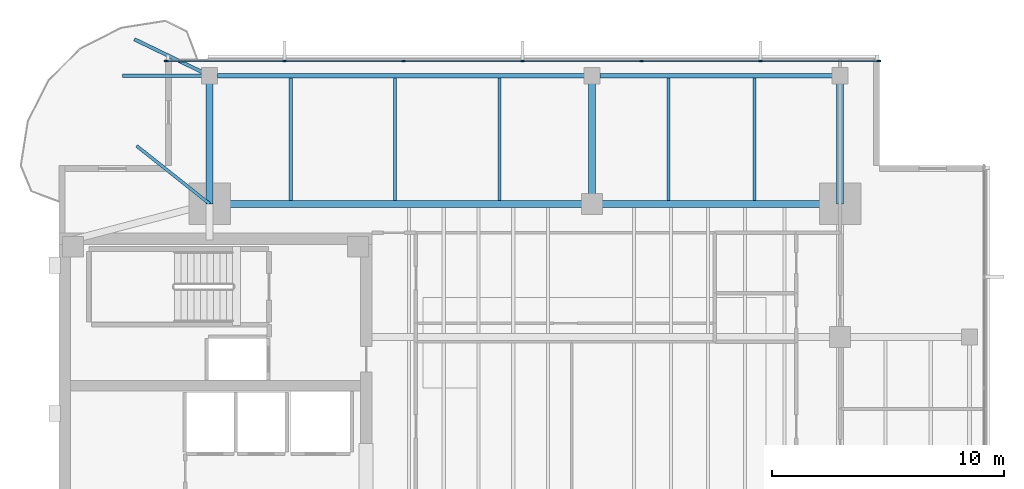
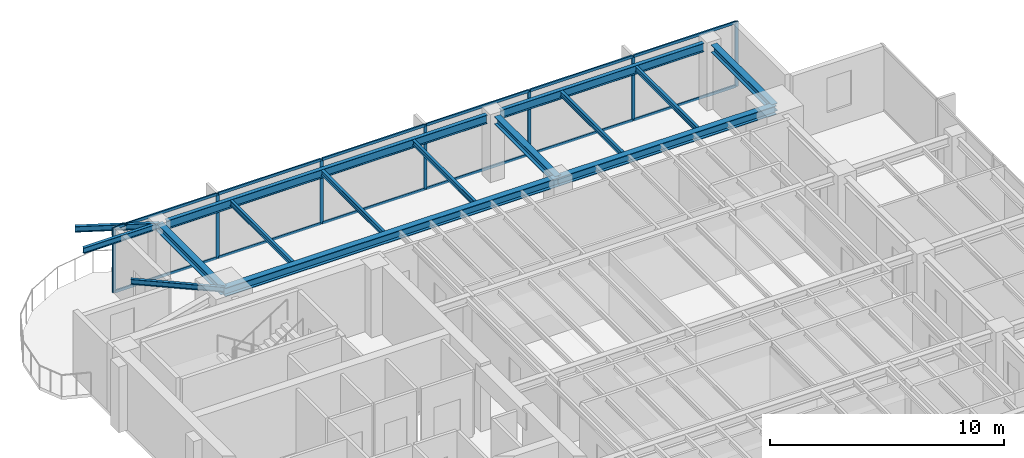
# One storey, part 5 of 14: 19 members, 15 beams, 1 element without a shape of its own.
"""IFC4 building model written with IfcOpenShell, lengths in metres."""

import ifcopenshell
import ifcopenshell.guid

model = None  # the IFC model being written
_history = None  # IfcOwnerHistory: only IFC2X3 demands one
_inside = {}  # id of a spatial element -> (the spatial element, [elements in it])
_under = {}  # id of a project, library or spatial element -> (it, [spatial elements below it])
_declared = {}  # id of a project -> (the project, [libraries it declares])
_typed = {}  # id of a type object -> (the type object, [elements of that type])
_made_of = {}  # id of a material, layer set ... -> (it, [elements and type objects made of it])


def new_model(schema):
    """Start an empty IFC model of exactly this schema.

    Asked for "IFC4X3", IfcOpenShell would pick the latest addendum, in which some entities
    have other attributes; the version numbers below select the first issue.
    IFC2X3 requires an IfcOwnerHistory on every rooted entity: one is made here for all.
    """
    global model, _history
    if schema == "IFC4X3":
        model = ifcopenshell.file(schema_version=(4, 3, 0, 0))
    else:
        model = ifcopenshell.file(schema=schema)
    _inside.clear()
    _under.clear()
    _declared.clear()
    _typed.clear()
    _made_of.clear()
    _history = None
    if model.schema == "IFC2X3":
        org = make("IfcOrganization", Name="unknown")
        user = make(
            "IfcPersonAndOrganization",
            ThePerson=make("IfcPerson", FamilyName="unknown"),
            TheOrganization=org,
        )
        app = make(
            "IfcApplication",
            ApplicationDeveloper=org,
            Version="unknown",
            ApplicationFullName="unknown",
            ApplicationIdentifier="unknown",
        )
        _history = make(
            "IfcOwnerHistory",
            OwningUser=user,
            OwningApplication=app,
            ChangeAction="ADDED",
            CreationDate=0,
        )
    return model


def make(cls, **values):
    """One entity of the class cls with the attributes given. An attribute that is None is left unset."""
    return model.create_entity(
        cls, **{name: value for name, value in values.items() if value is not None}
    )


def rooted(cls, **values):
    """An entity with a GlobalId (a new one), such as an element, a storey or a relation."""
    return make(cls, GlobalId=ifcopenshell.guid.new(), OwnerHistory=_history, **values)


def si_unit(unit_type, name, prefix=None):
    """IfcSIUnit, for example si_unit("LENGTHUNIT", "METRE", prefix="MILLI")."""
    return make("IfcSIUnit", UnitType=unit_type, Prefix=prefix, Name=name)


def assignment(units):
    """IfcUnitAssignment: the units of a project."""
    return None if units is None else make("IfcUnitAssignment", Units=units)


def point(xyz):
    """IfcCartesianPoint."""
    return None if xyz is None else make("IfcCartesianPoint", Coordinates=xyz)


def direction(xyz):
    """IfcDirection."""
    return None if xyz is None else make("IfcDirection", DirectionRatios=xyz)


def frame(location, z_axis=None, x_axis=None):
    """IfcAxis2Placement3D, a coordinate frame: its origin and axes. An axis left out is left unset."""
    return make(
        "IfcAxis2Placement3D",
        Location=point(location),
        Axis=direction(z_axis),
        RefDirection=direction(x_axis),
    )


def frame_2d(location, x_axis=None):
    """IfcAxis2Placement2D, a coordinate frame in the plane: its origin and x axis."""
    return make(
        "IfcAxis2Placement2D", Location=point(location), RefDirection=direction(x_axis)
    )


def origin():
    """The frame at (0, 0, 0) with its axes left unset."""
    return frame((0.0, 0.0, 0.0))


def origin_2d():
    """The frame at (0, 0) in the plane with its x axis left unset."""
    return frame_2d((0.0, 0.0))


def place(relative_to, where):
    """IfcLocalPlacement: puts the frame where relative to a parent placement (None: the world)."""
    return make(
        "IfcLocalPlacement", PlacementRelTo=relative_to, RelativePlacement=where
    )


def context(
    kind, dimensions, precision=None, world=None, true_north=None, identifier=None
):
    """IfcGeometricRepresentationContext, for example the 3D "Model" context."""
    return make(
        "IfcGeometricRepresentationContext",
        ContextIdentifier=identifier,
        ContextType=kind,
        CoordinateSpaceDimension=dimensions,
        Precision=precision,
        WorldCoordinateSystem=world,
        TrueNorth=true_north,
    )


def subcontext(parent, identifier, kind, view, scale=None):
    """IfcGeometricRepresentationSubContext, for example "Body" below "Model"."""
    return make(
        "IfcGeometricRepresentationSubContext",
        ContextIdentifier=identifier,
        ContextType=kind,
        ParentContext=parent,
        TargetScale=scale,
        TargetView=view,
    )


def project(units=None, contexts=None):
    """IfcProject with its units and contexts."""
    return rooted(
        "IfcProject",
        Name="project",
        RepresentationContexts=contexts,
        UnitsInContext=assignment(units),
    )


def spatial(cls, under=None, at=None, **own):
    """A site, building, storey or space (cls), placed at a placement, below another one or the project."""
    s = rooted(cls, ObjectPlacement=at, **own)
    if under is not None:
        _under.setdefault(under.id(), (under, []))[1].append(s)
    return s


def profile(cls, at=None, kind="AREA", **sizes):
    """A parametric profile (cls). Its sizes go by their IFC names, for example OverallWidth=200.0."""
    return make(cls, ProfileType=kind, Position=at, **sizes)


def rectangle(**sizes):
    """IfcRectangleProfileDef."""
    return profile("IfcRectangleProfileDef", **sizes)


def i_section(**sizes):
    """IfcIShapeProfileDef."""
    return profile("IfcIShapeProfileDef", **sizes)


def extrude(swept, where, along, depth):
    """IfcExtrudedAreaSolid: the profile swept, set in the frame where, extruded along a direction by depth."""
    return make(
        "IfcExtrudedAreaSolid",
        SweptArea=swept,
        Position=where,
        ExtrudedDirection=direction(along),
        Depth=depth,
    )


def shape(context_of_items, identifier, shape_type, items):
    """IfcShapeRepresentation: the items that make up one representation, for example the "Body"."""
    return make(
        "IfcShapeRepresentation",
        ContextOfItems=context_of_items,
        RepresentationIdentifier=identifier,
        RepresentationType=shape_type,
        Items=items,
    )


def material(Name=None, Category=None):
    """IfcMaterial."""
    return make("IfcMaterial", Name=Name, Category=Category)


def layer(
    of_material, thickness, ventilated=None, Name=None, Category=None, Priority=None
):
    """IfcMaterialLayer: one layer of a wall or slab, of a material (None: an air gap)."""
    return make(
        "IfcMaterialLayer",
        Material=of_material,
        LayerThickness=thickness,
        IsVentilated=ventilated,
        Name=Name,
        Category=Category,
        Priority=Priority,
    )


def layer_set(layers, Name=None):
    """IfcMaterialLayerSet."""
    return make("IfcMaterialLayerSet", MaterialLayers=layers, LayerSetName=Name)


def material_profile(
    of_material, cross_section, Name=None, Category=None, Priority=None
):
    """IfcMaterialProfile: a cross section and its material."""
    return make(
        "IfcMaterialProfile",
        Name=Name,
        Material=of_material,
        Profile=cross_section,
        Priority=Priority,
        Category=Category,
    )


def profile_set(profiles, Name=None, composite=None):
    """IfcMaterialProfileSet."""
    return make(
        "IfcMaterialProfileSet",
        Name=Name,
        MaterialProfiles=profiles,
        CompositeProfile=composite,
    )


def made_of(thing, what):
    """Note that an element or type object is made of a material, layer set ...; save() writes the relation."""
    if what is not None:
        _made_of.setdefault(what.id(), (what, []))[1].append(thing)
    return thing


def type_object(cls, material=None, **own):
    """A type object (cls), such as IfcWallType, which elements share."""
    return made_of(rooted(cls, **own), material)


def element(
    cls,
    number,
    at=None,
    inside=None,
    cuts=None,
    type_object=None,
    material=None,
    context=None,
    identifier="Body",
    shape_type=None,
    held_by="IfcProductDefinitionShape",
    body=None,
    shapes=None,
    **own,
):
    """One element of the class cls, such as IfcWall. Its Tag is "e" and its number.

    at: its placement. inside: the storey or other place that contains it. cuts: it is an
    opening in that element (IfcRelVoidsElement). A single representation is given by context,
    identifier, shape_type and body (its items); several are given by shapes. held_by: the class
    of the entity that holds the representations. save() writes the other relations.
    """
    e = rooted(cls, Tag="e%d" % number, ObjectPlacement=at, **own)
    if body is not None:
        shapes = [shape(context, identifier, shape_type, body)]
    if shapes is not None:
        e.Representation = make(held_by, Representations=shapes)
    if inside is not None:
        _inside.setdefault(inside.id(), (inside, []))[1].append(e)
    if cuts is not None:
        rooted(
            "IfcRelVoidsElement", RelatingBuildingElement=cuts, RelatedOpeningElement=e
        )
    if type_object is not None:
        _typed.setdefault(type_object.id(), (type_object, []))[1].append(e)
    return made_of(e, material)


def aggregate(whole, parts):
    """IfcRelAggregates: a whole, such as a stair, and the parts it consists of."""
    return rooted("IfcRelAggregates", RelatingObject=whole, RelatedObjects=parts)


def save(model, path):
    """Write the relations noted so far, then the file.

    IfcRelAggregates (storeys below a building ...), IfcRelContainedInSpatialStructure (elements
    in a storey), IfcRelDefinesByType, IfcRelAssociatesMaterial and IfcRelDeclares: one each for
    every whole, place, type object, material and project.
    """
    for whole, parts in _under.values():
        aggregate(whole, parts)
    for where, things in _inside.values():
        rooted(
            "IfcRelContainedInSpatialStructure",
            RelatedElements=things,
            RelatingStructure=where,
        )
    for kind, things in _typed.values():
        rooted("IfcRelDefinesByType", RelatedObjects=things, RelatingType=kind)
    for what, things in _made_of.values():
        rooted("IfcRelAssociatesMaterial", RelatedObjects=things, RelatingMaterial=what)
    for by, libraries in _declared.values():
        rooted("IfcRelDeclares", RelatingContext=by, RelatedDefinitions=libraries)
    model.write(path)


model = new_model("IFC4")

# Units and contexts
model_context = context("Model", 3, precision=1e-05, world=origin(), true_north=direction((0.0, 1.0)))
body_context = subcontext(model_context, "Body", "Model", "MODEL_VIEW")
ifc_project = project(units=[si_unit("LENGTHUNIT", "METRE"), si_unit("AREAUNIT", "SQUARE_METRE"), si_unit("VOLUMEUNIT", "CUBIC_METRE"), si_unit("PLANEANGLEUNIT", "RADIAN"), si_unit("MASSUNIT", "GRAM", prefix="KILO")], contexts=[model_context])

# Site, building, storey
site_placement = place(None, origin())
site = spatial("IfcSite", under=ifc_project, at=site_placement, CompositionType="ELEMENT")
building_placement = place(site_placement, origin())
building = spatial("IfcBuilding", under=site, at=building_placement, Name="Kinhvarn Gate Tower", CompositionType="ELEMENT")
storey_placement = place(building_placement, frame((0.0, 0.0, 256.35009765625)))
storey = spatial("IfcBuildingStorey", under=building, at=storey_placement, Name="L68", CompositionType="ELEMENT", Elevation=256.35009765625)

# Curtain wall, members
ifc_material_1 = material(Name="Anodised aluminium AW-6063", Category="aluminium")
ifc_layer = layer(ifc_material_1, 0.179931640625)
ifc_layer_set = layer_set([ifc_layer], Name="Anodised aluminium AW-6063")
curtain_wall_type = type_object("IfcCurtainWallType", Name="CW-SYS-3", PredefinedType="NOTDEFINED", material=ifc_layer_set)
curtain_wall_placement = place(storey_placement, origin())
curtain_wall = element("IfcCurtainWall", 1, at=curtain_wall_placement, inside=storey, type_object=curtain_wall_type, Name="Curtain Wall CW3 (L68)", PredefinedType="NOTDEFINED")
ifc_material_profile_1 = material_profile(ifc_material_1, rectangle(XDim=0.06494140625, YDim=0.159912109375, at=origin_2d()), Name="ALU 65x160")
ifc_profile_set_1 = profile_set([ifc_material_profile_1], Name="Anodised aluminium AW-6063")
member_type_1 = type_object("IfcMemberType", Name="CW-MUL-160", PredefinedType="MULLION", material=ifc_profile_set_1)
member_1_placement = place(storey_placement, frame((39.867431640625, 43.909912109375, 0.0), z_axis=(0.0, 0.0, 1.0), x_axis=(0.0, -1.0, 0.0)))
member_1 = element("IfcMember", 2, at=member_1_placement, type_object=member_type_1, Name="CW3 mullion 1", PredefinedType="MULLION", context=body_context, shape_type="SweptSolid", body=[
    extrude(rectangle(XDim=0.06494140625, YDim=0.159912109375, at=origin_2d()), origin(), (0.0, 0.0, 1.0), 3.389892578125),
])
member_2_placement = place(storey_placement, frame((34.7666015625, 43.909912109375, 0.0), z_axis=(0.0, 0.0, 1.0), x_axis=(0.0, -1.0, 0.0)))
member_2 = element("IfcMember", 3, at=member_2_placement, type_object=member_type_1, Name="CW3 mullion 2", PredefinedType="MULLION", context=body_context, shape_type="SweptSolid", body=[
    extrude(rectangle(XDim=0.06494140625, YDim=0.159912109375, at=origin_2d()), origin(), (0.0, 0.0, 1.0), 3.389892578125),
])
member_3_placement = place(storey_placement, frame((29.63330078125, 43.909912109375, 0.0), z_axis=(0.0, 0.0, 1.0), x_axis=(0.0, -1.0, 0.0)))
member_3 = element("IfcMember", 4, at=member_3_placement, type_object=member_type_1, Name="CW3 mullion 3", PredefinedType="MULLION", context=body_context, shape_type="SweptSolid", body=[
    extrude(rectangle(XDim=0.06494140625, YDim=0.159912109375, at=origin_2d()), origin(), (0.0, 0.0, 1.0), 3.389892578125),
])
member_4_placement = place(storey_placement, frame((24.5, 43.909912109375, 0.0), z_axis=(0.0, 0.0, 1.0), x_axis=(0.0, -1.0, 0.0)))
member_4 = element("IfcMember", 5, at=member_4_placement, type_object=member_type_1, Name="CW3 mullion 4", PredefinedType="MULLION", context=body_context, shape_type="SweptSolid", body=[
    extrude(rectangle(XDim=0.06494140625, YDim=0.159912109375, at=origin_2d()), origin(), (0.0, 0.0, 1.0), 3.389892578125),
])
member_5_placement = place(storey_placement, frame((19.36669921875, 43.909912109375, 0.0), z_axis=(0.0, 0.0, 1.0), x_axis=(0.0, -1.0, 0.0)))
member_5 = element("IfcMember", 6, at=member_5_placement, type_object=member_type_1, Name="CW3 mullion 5", PredefinedType="MULLION", context=body_context, shape_type="SweptSolid", body=[
    extrude(rectangle(XDim=0.06494140625, YDim=0.159912109375, at=origin_2d()), origin(), (0.0, 0.0, 1.0), 3.389892578125),
])
member_6_placement = place(storey_placement, frame((14.2333984375, 43.909912109375, 0.0), z_axis=(0.0, 0.0, 1.0), x_axis=(0.0, -1.0, 0.0)))
member_6 = element("IfcMember", 7, at=member_6_placement, type_object=member_type_1, Name="CW3 mullion 6", PredefinedType="MULLION", context=body_context, shape_type="SweptSolid", body=[
    extrude(rectangle(XDim=0.06494140625, YDim=0.159912109375, at=origin_2d()), origin(), (0.0, 0.0, 1.0), 3.389892578125),
])
member_7_placement = place(storey_placement, frame((9.132568359375, 43.909912109375, 0.0), z_axis=(0.0, 0.0, 1.0), x_axis=(0.0, -1.0, 0.0)))
member_7 = element("IfcMember", 8, at=member_7_placement, type_object=member_type_1, Name="CW3 mullion 7", PredefinedType="MULLION", context=body_context, shape_type="SweptSolid", body=[
    extrude(rectangle(XDim=0.06494140625, YDim=0.159912109375, at=origin_2d()), origin(), (0.0, 0.0, 1.0), 3.389892578125),
])
ifc_material_profile_2 = material_profile(ifc_material_1, rectangle(XDim=0.070068359375, YDim=0.139892578125, at=origin_2d()), Name="ALU 70x140")
ifc_profile_set_2 = profile_set([ifc_material_profile_2], Name="Anodised aluminium AW-6063")
member_type_2 = type_object("IfcMemberType", Name="CW-TRN-140", PredefinedType="USERDEFINED", material=ifc_profile_set_2)
member_8_placement = place(storey_placement, frame((39.8349609375, 43.909912109375, 0.034912109375), z_axis=(-1.0, 0.0, 0.0), x_axis=(0.0, -1.0, 0.0)))
member_8 = element("IfcMember", 9, at=member_8_placement, type_object=member_type_2, Name="CW3 transom 1.1", ObjectType="TRANSOM", PredefinedType="USERDEFINED", context=body_context, shape_type="SweptSolid", body=[
    extrude(rectangle(XDim=0.070068359375, YDim=0.139892578125, at=origin_2d()), origin(), (0.0, 0.0, 1.0), 5.035888671875),
])
member_9_placement = place(storey_placement, frame((39.8349609375, 43.909912109375, 3.35498046875), z_axis=(-1.0, 0.0, 0.0), x_axis=(0.0, -1.0, 0.0)))
member_9 = element("IfcMember", 10, at=member_9_placement, type_object=member_type_2, Name="CW3 transom 1.2", ObjectType="TRANSOM", PredefinedType="USERDEFINED", context=body_context, shape_type="SweptSolid", body=[
    extrude(rectangle(XDim=0.070068359375, YDim=0.139892578125, at=origin_2d()), origin(), (0.0, 0.0, 1.0), 5.035888671875),
])
member_10_placement = place(storey_placement, frame((34.734130859375, 43.909912109375, 0.034912109375), z_axis=(-1.0, 0.0, 0.0), x_axis=(0.0, -1.0, 0.0)))
member_10 = element("IfcMember", 11, at=member_10_placement, type_object=member_type_2, Name="CW3 transom 2.1", ObjectType="TRANSOM", PredefinedType="USERDEFINED", context=body_context, shape_type="SweptSolid", body=[
    extrude(rectangle(XDim=0.070068359375, YDim=0.139892578125, at=origin_2d()), origin(), (0.0, 0.0, 1.0), 5.068359375),
])
member_11_placement = place(storey_placement, frame((34.734130859375, 43.909912109375, 3.35498046875), z_axis=(-1.0, 0.0, 0.0), x_axis=(0.0, -1.0, 0.0)))
member_11 = element("IfcMember", 12, at=member_11_placement, type_object=member_type_2, Name="CW3 transom 2.2", ObjectType="TRANSOM", PredefinedType="USERDEFINED", context=body_context, shape_type="SweptSolid", body=[
    extrude(rectangle(XDim=0.070068359375, YDim=0.139892578125, at=origin_2d()), origin(), (0.0, 0.0, 1.0), 5.068359375),
])
member_12_placement = place(storey_placement, frame((29.600830078125, 43.909912109375, 0.034912109375), z_axis=(-1.0, 0.0, 0.0), x_axis=(0.0, -1.0, 0.0)))
member_12 = element("IfcMember", 13, at=member_12_placement, type_object=member_type_2, Name="CW3 transom 3.1", ObjectType="TRANSOM", PredefinedType="USERDEFINED", context=body_context, shape_type="SweptSolid", body=[
    extrude(rectangle(XDim=0.070068359375, YDim=0.139892578125, at=origin_2d()), origin(), (0.0, 0.0, 1.0), 5.068359375),
])
member_13_placement = place(storey_placement, frame((29.600830078125, 43.909912109375, 3.35498046875), z_axis=(-1.0, 0.0, 0.0), x_axis=(0.0, -1.0, 0.0)))
member_13 = element("IfcMember", 14, at=member_13_placement, type_object=member_type_2, Name="CW3 transom 3.2", ObjectType="TRANSOM", PredefinedType="USERDEFINED", context=body_context, shape_type="SweptSolid", body=[
    extrude(rectangle(XDim=0.070068359375, YDim=0.139892578125, at=origin_2d()), origin(), (0.0, 0.0, 1.0), 5.068359375),
])
member_14_placement = place(storey_placement, frame((24.467529296875, 43.909912109375, 0.034912109375), z_axis=(-1.0, 0.0, 0.0), x_axis=(0.0, -1.0, 0.0)))
member_14 = element("IfcMember", 15, at=member_14_placement, type_object=member_type_2, Name="CW3 transom 4.1", ObjectType="TRANSOM", PredefinedType="USERDEFINED", context=body_context, shape_type="SweptSolid", body=[
    extrude(rectangle(XDim=0.070068359375, YDim=0.139892578125, at=origin_2d()), origin(), (0.0, 0.0, 1.0), 5.068359375),
])
member_15_placement = place(storey_placement, frame((24.467529296875, 43.909912109375, 3.35498046875), z_axis=(-1.0, 0.0, 0.0), x_axis=(0.0, -1.0, 0.0)))
member_15 = element("IfcMember", 16, at=member_15_placement, type_object=member_type_2, Name="CW3 transom 4.2", ObjectType="TRANSOM", PredefinedType="USERDEFINED", context=body_context, shape_type="SweptSolid", body=[
    extrude(rectangle(XDim=0.070068359375, YDim=0.139892578125, at=origin_2d()), origin(), (0.0, 0.0, 1.0), 5.068359375),
])
member_16_placement = place(storey_placement, frame((19.334228515625, 43.909912109375, 0.034912109375), z_axis=(-1.0, 0.0, 0.0), x_axis=(0.0, -1.0, 0.0)))
member_16 = element("IfcMember", 17, at=member_16_placement, type_object=member_type_2, Name="CW3 transom 5.1", ObjectType="TRANSOM", PredefinedType="USERDEFINED", context=body_context, shape_type="SweptSolid", body=[
    extrude(rectangle(XDim=0.070068359375, YDim=0.139892578125, at=origin_2d()), origin(), (0.0, 0.0, 1.0), 5.068359375),
])
member_17_placement = place(storey_placement, frame((19.334228515625, 43.909912109375, 3.35498046875), z_axis=(-1.0, 0.0, 0.0), x_axis=(0.0, -1.0, 0.0)))
member_17 = element("IfcMember", 18, at=member_17_placement, type_object=member_type_2, Name="CW3 transom 5.2", ObjectType="TRANSOM", PredefinedType="USERDEFINED", context=body_context, shape_type="SweptSolid", body=[
    extrude(rectangle(XDim=0.070068359375, YDim=0.139892578125, at=origin_2d()), origin(), (0.0, 0.0, 1.0), 5.068359375),
])
member_18_placement = place(storey_placement, frame((14.200927734375, 43.909912109375, 0.034912109375), z_axis=(-1.0, 0.0, 0.0), x_axis=(0.0, -1.0, 0.0)))
member_18 = element("IfcMember", 19, at=member_18_placement, type_object=member_type_2, Name="CW3 transom 6.1", ObjectType="TRANSOM", PredefinedType="USERDEFINED", context=body_context, shape_type="SweptSolid", body=[
    extrude(rectangle(XDim=0.070068359375, YDim=0.139892578125, at=origin_2d()), origin(), (0.0, 0.0, 1.0), 5.035888671875),
])
member_19_placement = place(storey_placement, frame((14.200927734375, 43.909912109375, 3.35498046875), z_axis=(-1.0, 0.0, 0.0), x_axis=(0.0, -1.0, 0.0)))
member_19 = element("IfcMember", 20, at=member_19_placement, type_object=member_type_2, Name="CW3 transom 6.2", ObjectType="TRANSOM", PredefinedType="USERDEFINED", context=body_context, shape_type="SweptSolid", body=[
    extrude(rectangle(XDim=0.070068359375, YDim=0.139892578125, at=origin_2d()), origin(), (0.0, 0.0, 1.0), 5.035888671875),
])
aggregate(curtain_wall, [member_1, member_2, member_3, member_4, member_5, member_6, member_7, member_8, member_9, member_10, member_11, member_12, member_13, member_14, member_15, member_16, member_17, member_18, member_19])

# Beams
ifc_material_2 = material(Name="Steel S355", Category="steel")
ifc_material_profile_3 = material_profile(ifc_material_2, i_section(OverallWidth=0.300048828125, OverallDepth=0.39990234375, WebThickness=0.013427734375, FlangeThickness=0.02392578125, at=origin_2d()), Name="HEB 400")
ifc_profile_set_3 = profile_set([ifc_material_profile_3], Name="Steel S355")
beam_type_1 = type_object("IfcBeamType", Name="STL-HEB400", PredefinedType="BEAM", material=ifc_profile_set_3)
beam_1_placement = place(storey_placement, frame((11.0, 37.75, 3.18994140625), z_axis=(0.0, 1.0, 0.0), x_axis=(-1.0, 0.0, 0.0)))
element("IfcBeam", 21, at=beam_1_placement, inside=storey, type_object=beam_type_1, Name="Floor Beam PG-12 (L68 MCW-N)", PredefinedType="BEAM", context=body_context, shape_type="SweptSolid", body=[
    extrude(i_section(OverallWidth=0.300048828125, OverallDepth=0.39990234375, WebThickness=0.013427734375, FlangeThickness=0.02392578125, at=origin_2d()), origin(), (0.0, 0.0, 1.0), 5.530029296875),
])
for number, where, z_axis, x_axis, name in (
    (22, (27.5, 37.75, 3.18994140625), (0.0, 1.0, 0.0), (-1.0, 0.0, 0.0), "Floor Beam PG-12 (L68 SP27-N-TIE)"),
    (23, (38.199951171875, 37.75, 3.18994140625), (0.0, 1.0, 0.0), (-1.0, 0.0, 0.0), "Floor Beam PG-12 (L68 MCE-N)"),
):
    element("IfcBeam", number, at=place(storey_placement, frame(where, z_axis=z_axis, x_axis=x_axis)), inside=storey, type_object=beam_type_1, Name=name, PredefinedType="BEAM", context=body_context, shape_type="SweptSolid", body=[
        extrude(i_section(OverallWidth=0.300048828125, OverallDepth=0.39990234375, WebThickness=0.013427734375, FlangeThickness=0.02392578125, at=origin_2d()), origin(), (0.0, 0.0, 1.0), 5.195068359375),
    ])
ifc_material_profile_4 = material_profile(ifc_material_2, i_section(OverallWidth=0.300048828125, OverallDepth=0.449951171875, WebThickness=0.013916015625, FlangeThickness=0.02587890625, at=origin_2d()), Name="HEB 450")
ifc_profile_set_4 = profile_set([ifc_material_profile_4], Name="Steel S355")
beam_type_2 = type_object("IfcBeamType", Name="STL-HEB450", PredefinedType="BEAM", material=ifc_profile_set_4)
beam_2_placement = place(storey_placement, frame((11.0, 37.75, 3.164794921875), z_axis=(1.0, 0.0, 0.0), x_axis=(0.0, 1.0, 0.0)))
element("IfcBeam", 24, at=beam_2_placement, inside=storey, type_object=beam_type_2, Name="Floor Beam PG-13 (L68 MG-N1)", PredefinedType="BEAM", context=body_context, shape_type="SweptSolid", body=[
    extrude(i_section(OverallWidth=0.300048828125, OverallDepth=0.449951171875, WebThickness=0.013916015625, FlangeThickness=0.02587890625, at=origin_2d()), origin(), (0.0, 0.0, 1.0), 16.5),
])
beam_3_placement = place(storey_placement, frame((27.5, 37.75, 3.164794921875), z_axis=(1.0, 0.0, 0.0), x_axis=(0.0, 1.0, 0.0)))
element("IfcBeam", 25, at=beam_3_placement, inside=storey, type_object=beam_type_2, Name="Floor Beam PG-13 (L68 MG-N2)", PredefinedType="BEAM", context=body_context, shape_type="SweptSolid", body=[
    extrude(i_section(OverallWidth=0.300048828125, OverallDepth=0.449951171875, WebThickness=0.013916015625, FlangeThickness=0.02587890625, at=origin_2d()), origin(), (0.0, 0.0, 1.0), 10.699951171875),
])
ifc_material_profile_5 = material_profile(ifc_material_2, i_section(OverallWidth=0.135009765625, OverallDepth=0.27001953125, WebThickness=0.006591796875, FlangeThickness=0.01025390625, at=origin_2d()), Name="IPE 270")
ifc_profile_set_5 = profile_set([ifc_material_profile_5], Name="Steel S355")
beam_type_3 = type_object("IfcBeamType", Name="STL-IPE270", PredefinedType="JOIST", material=ifc_profile_set_5)
for number, where, z_axis, x_axis, name in (
    (26, (14.5, 37.89990234375, 3.2548828125), (0.0, 1.0, 0.0), (-1.0, 0.0, 0.0), "Floor Joist SB-01 (L68 JN-X145)"),
    (27, (19.0, 37.89990234375, 3.2548828125), (0.0, 1.0, 0.0), (-1.0, 0.0, 0.0), "Floor Joist SB-01 (L68 JN-X190)"),
    (28, (23.5, 37.89990234375, 3.2548828125), (0.0, 1.0, 0.0), (-1.0, 0.0, 0.0), "Floor Joist SB-01 (L68 JN-X235)"),
    (29, (30.800048828125, 37.89990234375, 3.2548828125), (0.0, 1.0, 0.0), (-1.0, 0.0, 0.0), "Floor Joist SB-01 (L68 JN-X308)"),
    (30, (34.5, 37.89990234375, 3.2548828125), (0.0, 1.0, 0.0), (-1.0, 0.0, 0.0), "Floor Joist SB-01 (L68 JN-X345)"),
):
    element("IfcBeam", number, at=place(storey_placement, frame(where, z_axis=z_axis, x_axis=x_axis)), inside=storey, type_object=beam_type_3, Name=name, PredefinedType="JOIST", context=body_context, shape_type="SweptSolid", body=[
        extrude(i_section(OverallWidth=0.135009765625, OverallDepth=0.27001953125, WebThickness=0.006591796875, FlangeThickness=0.01025390625, at=origin_2d()), origin(), (0.0, 0.0, 1.0), 5.28515625),
    ])
beam_4_placement = place(storey_placement, frame((11.0, 37.75, 3.2548828125), z_axis=(-0.783279518214, 0.621669684275, 0.0), x_axis=(-0.621669684275, -0.783279518214, 0.0)))
element("IfcBeam", 31, at=beam_4_placement, inside=storey, type_object=beam_type_3, Name="Floor Joist SB-01 (L68 BAL-B3-L69)", PredefinedType="JOIST", context=body_context, shape_type="SweptSolid", body=[
    extrude(i_section(OverallWidth=0.135009765625, OverallDepth=0.27001953125, WebThickness=0.006591796875, FlangeThickness=0.01025390625, at=origin_2d()), origin(), (0.0, 0.0, 1.0), 4.021484375),
])
ifc_material_profile_6 = material_profile(ifc_material_2, i_section(OverallWidth=0.14990234375, OverallDepth=0.300048828125, WebThickness=0.007080078125, FlangeThickness=0.0107421875, at=origin_2d()), Name="IPE 300")
ifc_profile_set_6 = profile_set([ifc_material_profile_6], Name="Steel S355")
beam_type_4 = type_object("IfcBeamType", Name="STL-IPE300", PredefinedType="JOIST", material=ifc_profile_set_6)
beam_5_placement = place(storey_placement, frame((11.0, 43.280029296875, 3.239990234375), z_axis=(-1.0, 0.0, 0.0), x_axis=(0.0, -1.0, 0.0)))
element("IfcBeam", 32, at=beam_5_placement, inside=storey, type_object=beam_type_4, Name="Floor Joist SB-02 (L68 BAL-B1-L69)", PredefinedType="JOIST", context=body_context, shape_type="SweptSolid", body=[
    extrude(i_section(OverallWidth=0.14990234375, OverallDepth=0.300048828125, WebThickness=0.007080078125, FlangeThickness=0.0107421875, at=origin_2d()), origin(), (0.0, 0.0, 1.0), 3.75),
])
beam_6_placement = place(storey_placement, frame((11.0, 43.280029296875, 3.239990234375), z_axis=(-0.900431975558, 0.434996847567, 0.0), x_axis=(-0.434996847567, -0.900431975558, 0.0)))
element("IfcBeam", 33, at=beam_6_placement, inside=storey, type_object=beam_type_4, Name="Floor Joist SB-02 (L68 BAL-B2-L69)", PredefinedType="JOIST", context=body_context, shape_type="SweptSolid", body=[
    extrude(i_section(OverallWidth=0.14990234375, OverallDepth=0.300048828125, WebThickness=0.007080078125, FlangeThickness=0.0107421875, at=origin_2d()), origin(), (0.0, 0.0, 1.0), 3.609375),
])
ifc_material_profile_7 = material_profile(ifc_material_2, i_section(OverallWidth=0.18994140625, OverallDepth=0.449951171875, WebThickness=0.009521484375, FlangeThickness=0.0146484375, at=origin_2d()), Name="IPE 450")
ifc_profile_set_7 = profile_set([ifc_material_profile_7], Name="Steel S355")
beam_type_5 = type_object("IfcBeamType", Name="STL-IPE450", PredefinedType="JOIST", material=ifc_profile_set_7)
beam_7_placement = place(storey_placement, frame((11.3349609375, 43.280029296875, 3.164794921875), z_axis=(1.0, 0.0, 0.0), x_axis=(0.0, 1.0, 0.0)))
element("IfcBeam", 34, at=beam_7_placement, inside=storey, type_object=beam_type_5, Name="Floor Joist SB-06 (L68 SP-N1)", PredefinedType="JOIST", context=body_context, shape_type="SweptSolid", body=[
    extrude(i_section(OverallWidth=0.18994140625, OverallDepth=0.449951171875, WebThickness=0.009521484375, FlangeThickness=0.0146484375, at=origin_2d()), origin(), (0.0, 0.0, 1.0), 15.830078125),
])
beam_8_placement = place(storey_placement, frame((27.8349609375, 43.280029296875, 3.164794921875), z_axis=(1.0, 0.0, 0.0), x_axis=(0.0, 1.0, 0.0)))
element("IfcBeam", 35, at=beam_8_placement, inside=storey, type_object=beam_type_5, Name="Floor Joist SB-06 (L68 SP-N2)", PredefinedType="JOIST", context=body_context, shape_type="SweptSolid", body=[
    extrude(i_section(OverallWidth=0.18994140625, OverallDepth=0.449951171875, WebThickness=0.009521484375, FlangeThickness=0.0146484375, at=origin_2d()), origin(), (0.0, 0.0, 1.0), 10.030029296875),
])

save(model, "model.ifc")
